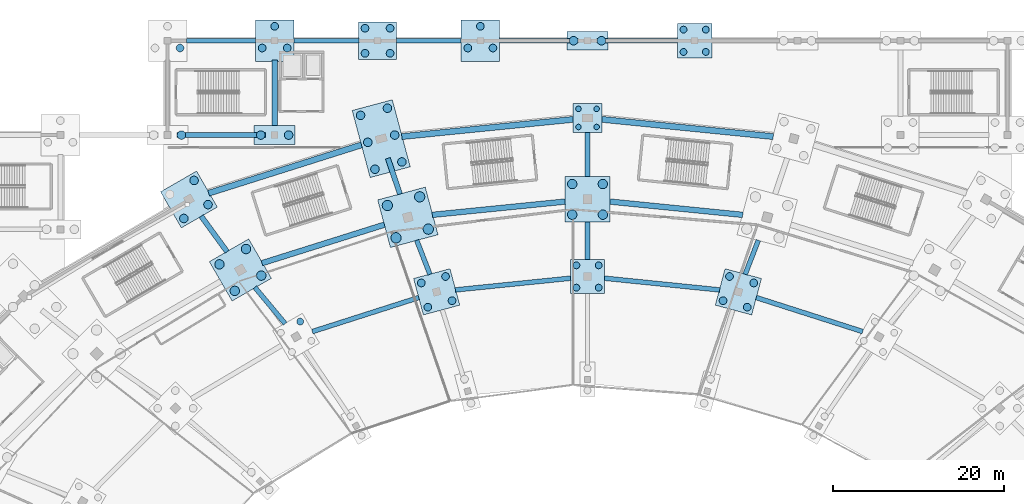
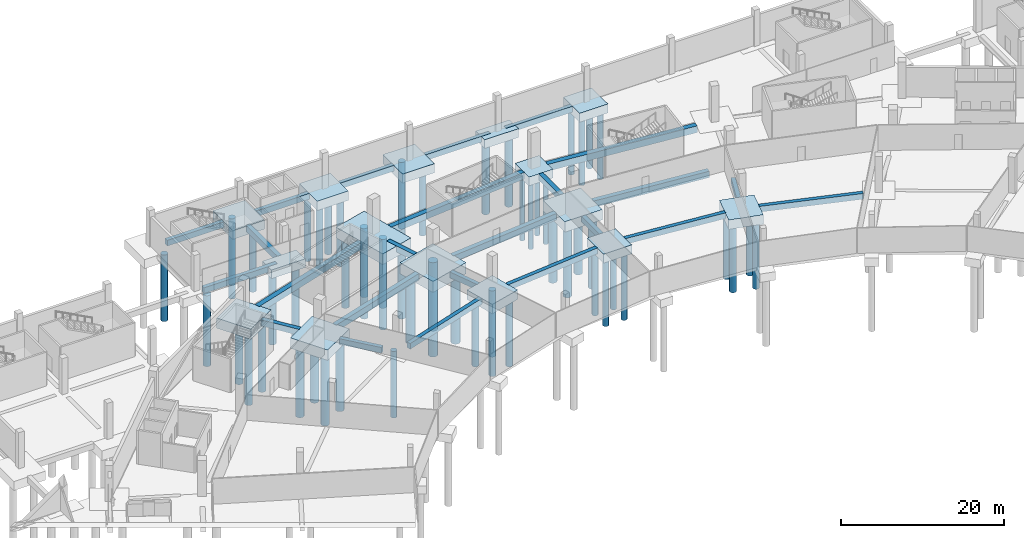
# One storey, part 10 of 74: 58 piles, 39 footings.
"""IFC4 building model written with IfcOpenShell, lengths in metres."""

from ifc_helpers import new_model, si_unit, direction, frame, origin, origin_2d, place, context, subcontext, project, spatial, polyline, rectangle, circle, outline, extrude, material, material_profile, profile_set, type_object, element, save


model = new_model("IFC4")

# Units and contexts
model_context = context("Model", 3, precision=1e-05, world=origin(), true_north=direction((0.0, 1.0)))
body_context = subcontext(model_context, "Body", "Model", "MODEL_VIEW")
ifc_project = project(units=[si_unit("LENGTHUNIT", "METRE"), si_unit("AREAUNIT", "SQUARE_METRE"), si_unit("VOLUMEUNIT", "CUBIC_METRE"), si_unit("PLANEANGLEUNIT", "RADIAN"), si_unit("MASSUNIT", "GRAM", prefix="KILO")], contexts=[model_context])

# Site, building, storey
site_placement = place(None, origin())
site = spatial("IfcSite", under=ifc_project, at=site_placement, CompositionType="ELEMENT")
building_placement = place(site_placement, origin())
building = spatial("IfcBuilding", under=site, at=building_placement, Name="Zlatoyarsky Gate Stadium", CompositionType="ELEMENT")
storey_placement = place(building_placement, frame((0.0, 0.0, -5.39990234375)))
storey = spatial("IfcBuildingStorey", under=building, at=storey_placement, Name="B1", CompositionType="ELEMENT", Elevation=-5.39990234375)

# Piles
ifc_material = material(Name="Concrete C35/45", Category="concrete")
ifc_material_profile_1 = material_profile(ifc_material, circle(Radius=0.324951171875, at=origin_2d()), Name="ANCHOR PILE D650")
ifc_profile_set_1 = profile_set([ifc_material_profile_1], Name="Concrete C35/45")
pile_type_1 = type_object("IfcPileType", Name="CONCRETE ANCHOR PILE D650", PredefinedType="SUPPORT", material=ifc_profile_set_1)
for number, where, z_axis, x_axis, name in (
    (1, (112.056396484375, 149.943603515625, -1.2001953125), (0.0, 0.0, -1.0), (1.0, 0.0, 0.0), "Pile 1 under RC-06"),
    (2, (112.056396484375, 152.056396484375, -1.2001953125), (0.0, 0.0, -1.0), (1.0, 0.0, 0.0), "Pile 2 under RC-06"),
    (3, (109.943603515625, 149.943603515625, -1.2001953125), (0.0, 0.0, -1.0), (1.0, 0.0, 0.0), "Pile 3 under RC-06"),
    (4, (109.943603515625, 152.056396484375, -1.2001953125), (0.0, 0.0, -1.0), (1.0, 0.0, 0.0), "Pile 4 under RC-06"),
):
    element("IfcPile", number, at=place(storey_placement, frame(where, z_axis=z_axis, x_axis=x_axis)), inside=storey, type_object=pile_type_1, Name=name, PredefinedType="SUPPORT", context=body_context, shape_type="SweptSolid", body=[
        extrude(circle(Radius=0.324951171875, at=origin_2d()), origin(), (0.0, 0.0, 1.0), 10.0),
    ])
ifc_material_profile_2 = material_profile(ifc_material, circle(Radius=0.5, at=origin_2d()), Name="BORED PILE D1000")
ifc_profile_set_2 = profile_set([ifc_material_profile_2], Name="Concrete C35/45")
pile_type_2 = type_object("IfcPileType", Name="CONCRETE BORED PILE D1000", PredefinedType="BORED", material=ifc_profile_set_2)
for number, where, z_axis, x_axis, name in (
    (5, (89.340576171875, 145.862060546875, -1.5), (0.0, 0.0, -1.0), (1.0, 0.0, 0.0), "Pile 1 under RC-07"),
    (6, (88.49951171875, 149.001220703125, -1.5), (0.0, 0.0, -1.0), (1.0, 0.0, 0.0), "Pile 2 under RC-07"),
    (7, (87.658203125, 152.140380859375, -1.5), (0.0, 0.0, -1.0), (1.0, 0.0, 0.0), "Pile 3 under RC-07"),
    (8, (86.201416015625, 145.02099609375, -1.5), (0.0, 0.0, -1.0), (1.0, 0.0, 0.0), "Pile 4 under RC-07"),
    (9, (85.360107421875, 148.16015625, -1.5), (0.0, 0.0, -1.0), (1.0, 0.0, 0.0), "Pile 5 under RC-07"),
    (10, (84.51904296875, 151.29931640625, -1.5), (0.0, 0.0, -1.0), (1.0, 0.0, 0.0), "Pile 6 under RC-07"),
):
    element("IfcPile", number, at=place(storey_placement, frame(where, z_axis=z_axis, x_axis=x_axis)), inside=storey, type_object=pile_type_2, Name=name, PredefinedType="BORED", context=body_context, shape_type="SweptSolid", body=[
        extrude(circle(Radius=0.5, at=origin_2d()), origin(), (0.0, 0.0, 1.0), 10.300048828125),
    ])
for number, where, z_axis, x_axis, name in (
    (11, (66.7197265625, 140.89306640625, -1.400146484375), (0.0, 0.0, -1.0), (1.0, 0.0, 0.0), "Pile 1 under RC-08"),
    (12, (65.0947265625, 143.70751953125, -1.400146484375), (0.0, 0.0, -1.0), (1.0, 0.0, 0.0), "Pile 2 under RC-08"),
    (13, (63.9052734375, 139.26806640625, -1.400146484375), (0.0, 0.0, -1.0), (1.0, 0.0, 0.0), "Pile 3 under RC-08"),
):
    element("IfcPile", number, at=place(storey_placement, frame(where, z_axis=z_axis, x_axis=x_axis)), inside=storey, type_object=pile_type_2, Name=name, PredefinedType="BORED", context=body_context, shape_type="SweptSolid", body=[
        extrude(circle(Radius=0.5, at=origin_2d()), origin(), (0.0, 0.0, 1.0), 10.39990234375),
    ])
for number, where, z_axis, x_axis, name in (
    (14, (109.375, 160.0, -1.2001953125), (0.0, 0.0, -1.0), (1.0, 0.0, 0.0), "Pile 1 under WG-10-Q"),
    (15, (112.625, 160.0, -1.2001953125), (0.0, 0.0, -1.0), (1.0, 0.0, 0.0), "Pile 2 under WG-10-Q"),
    (16, (63.625, 149.0, -1.2001953125), (0.0, 0.0, -1.0), (1.0, 0.0, 0.0), "Pile 2 under WG-6-P"),
    (17, (72.875, 149.0, -1.2001953125), (0.0, 0.0, -1.0), (1.0, 0.0, 0.0), "Pile 1 under WG-7-P"),
    (18, (76.125, 149.0, -1.2001953125), (0.0, 0.0, -1.0), (1.0, 0.0, 0.0), "Pile 2 under WG-7-P"),
):
    element("IfcPile", number, at=place(storey_placement, frame(where, z_axis=z_axis, x_axis=x_axis)), inside=storey, type_object=pile_type_2, Name=name, PredefinedType="BORED", context=body_context, shape_type="SweptSolid", body=[
        extrude(circle(Radius=0.5, at=origin_2d()), origin(), (0.0, 0.0, 1.0), 10.60009765625),
    ])
ifc_material_profile_3 = material_profile(ifc_material, circle(Radius=0.550048828125, at=origin_2d()), Name="BORED PILE D1100")
ifc_profile_set_3 = profile_set([ifc_material_profile_3], Name="Concrete C35/45")
pile_type_3 = type_object("IfcPileType", Name="CONCRETE BORED PILE D1100", PredefinedType="BORED", material=ifc_profile_set_3)
for number, where, z_axis, x_axis, name in (
    (19, (112.78759765625, 139.71240234375, -1.4501953125), (0.0, 0.0, -1.0), (1.0, 0.0, 0.0), "Pile 1 under RB-06"),
    (20, (112.78759765625, 143.28759765625, -1.4501953125), (0.0, 0.0, -1.0), (1.0, 0.0, 0.0), "Pile 2 under RB-06"),
    (21, (109.21240234375, 139.71240234375, -1.4501953125), (0.0, 0.0, -1.0), (1.0, 0.0, 0.0), "Pile 3 under RB-06"),
    (22, (109.21240234375, 143.28759765625, -1.4501953125), (0.0, 0.0, -1.0), (1.0, 0.0, 0.0), "Pile 4 under RB-06"),
    (23, (72.94189453125, 132.606201171875, -1.4501953125), (0.0, 0.0, -1.0), (1.0, 0.0, 0.0), "Pile 1 under RB-08"),
    (24, (71.154296875, 135.702392578125, -1.4501953125), (0.0, 0.0, -1.0), (1.0, 0.0, 0.0), "Pile 2 under RB-08"),
    (25, (69.845703125, 130.81884765625, -1.4501953125), (0.0, 0.0, -1.0), (1.0, 0.0, 0.0), "Pile 3 under RB-08"),
    (26, (68.05810546875, 133.914794921875, -1.4501953125), (0.0, 0.0, -1.0), (1.0, 0.0, 0.0), "Pile 4 under RB-08"),
):
    element("IfcPile", number, at=place(storey_placement, frame(where, z_axis=z_axis, x_axis=x_axis)), inside=storey, type_object=pile_type_3, Name=name, PredefinedType="BORED", context=body_context, shape_type="SweptSolid", body=[
        extrude(circle(Radius=0.550048828125, at=origin_2d()), origin(), (0.0, 0.0, 1.0), 10.35009765625),
    ])
ifc_material_profile_4 = material_profile(ifc_material, circle(Radius=0.60009765625, at=origin_2d()), Name="BORED PILE D1200")
ifc_profile_set_4 = profile_set([ifc_material_profile_4], Name="Concrete C35/45")
pile_type_4 = type_object("IfcPileType", Name="CONCRETE BORED PILE D1200", PredefinedType="BORED", material=ifc_profile_set_4)
for number, where, z_axis, x_axis, name in (
    (27, (92.424072265625, 138.025390625, -1.550048828125), (0.0, 0.0, -1.0), (1.0, 0.0, 0.0), "Pile 1 under RB-07"),
    (28, (91.41455078125, 141.792724609375, -1.550048828125), (0.0, 0.0, -1.0), (1.0, 0.0, 0.0), "Pile 2 under RB-07"),
    (29, (88.65673828125, 137.01611328125, -1.550048828125), (0.0, 0.0, -1.0), (1.0, 0.0, 0.0), "Pile 3 under RB-07"),
    (30, (87.6474609375, 140.783203125, -1.550048828125), (0.0, 0.0, -1.0), (1.0, 0.0, 0.0), "Pile 4 under RB-07"),
):
    element("IfcPile", number, at=place(storey_placement, frame(where, z_axis=z_axis, x_axis=x_axis)), inside=storey, type_object=pile_type_4, Name=name, PredefinedType="BORED", context=body_context, shape_type="SweptSolid", body=[
        extrude(circle(Radius=0.60009765625, at=origin_2d()), origin(), (0.0, 0.0, 1.0), 10.25),
    ])
ifc_material_profile_5 = material_profile(ifc_material, circle(Radius=0.39990234375, at=origin_2d()), Name="BORED PILE D800")
ifc_profile_set_5 = profile_set([ifc_material_profile_5], Name="Concrete C35/45")
pile_type_5 = type_object("IfcPileType", Name="CONCRETE BORED PILE D800", PredefinedType="BORED", material=ifc_profile_set_5)
for number, where, z_axis, x_axis, name in (
    (31, (112.300048828125, 131.199951171875, -1.25), (0.0, 0.0, -1.0), (1.0, 0.0, 0.0), "Pile 1 under RA-06"),
    (32, (112.300048828125, 133.800048828125, -1.25), (0.0, 0.0, -1.0), (1.0, 0.0, 0.0), "Pile 2 under RA-06"),
    (33, (109.699951171875, 131.199951171875, -1.25), (0.0, 0.0, -1.0), (1.0, 0.0, 0.0), "Pile 3 under RA-06"),
    (34, (109.699951171875, 133.800048828125, -1.25), (0.0, 0.0, -1.0), (1.0, 0.0, 0.0), "Pile 4 under RA-06"),
    (35, (77.475830078125, 127.2421875, -1.25), (0.0, 0.0, -1.0), (1.0, 0.0, 0.0), "Pile 2 under RA-08"),
    (36, (122.199951171875, 158.699951171875, -1.25), (0.0, 0.0, -1.0), (1.0, 0.0, 0.0), "Pile 1 under WG-11-Q"),
    (37, (124.800048828125, 158.699951171875, -1.25), (0.0, 0.0, -1.0), (1.0, 0.0, 0.0), "Pile 2 under WG-11-Q"),
    (38, (122.199951171875, 161.300048828125, -1.25), (0.0, 0.0, -1.0), (1.0, 0.0, 0.0), "Pile 3 under WG-11-Q"),
    (39, (124.800048828125, 161.300048828125, -1.25), (0.0, 0.0, -1.0), (1.0, 0.0, 0.0), "Pile 4 under WG-11-Q"),
):
    element("IfcPile", number, at=place(storey_placement, frame(where, z_axis=z_axis, x_axis=x_axis)), inside=storey, type_object=pile_type_5, Name=name, PredefinedType="BORED", context=body_context, shape_type="SweptSolid", body=[
        extrude(circle(Radius=0.39990234375, at=origin_2d()), origin(), (0.0, 0.0, 1.0), 9.949951171875),
    ])
ifc_material_profile_6 = material_profile(ifc_material, circle(Radius=0.449951171875, at=origin_2d()), Name="BORED PILE D900")
ifc_profile_set_6 = profile_set([ifc_material_profile_6], Name="Concrete C35/45")
pile_type_6 = type_object("IfcPileType", Name="CONCRETE BORED PILE D900", PredefinedType="BORED", material=ifc_profile_set_6)
for number, where, z_axis, x_axis, name in (
    (40, (129.6337890625, 128.919921875, -1.300048828125), (0.0, 0.0, -1.0), (1.0, 0.0, 0.0), "Pile 1 under RA-05"),
    (41, (130.390869140625, 131.7451171875, -1.300048828125), (0.0, 0.0, -1.0), (1.0, 0.0, 0.0), "Pile 2 under RA-05"),
    (42, (126.80859375, 129.677001953125, -1.300048828125), (0.0, 0.0, -1.0), (1.0, 0.0, 0.0), "Pile 3 under RA-05"),
    (43, (127.565673828125, 132.502197265625, -1.300048828125), (0.0, 0.0, -1.0), (1.0, 0.0, 0.0), "Pile 4 under RA-05"),
    (44, (95.19140625, 129.677001953125, -1.300048828125), (0.0, 0.0, -1.0), (1.0, 0.0, 0.0), "Pile 1 under RA-07"),
    (45, (94.434326171875, 132.502197265625, -1.300048828125), (0.0, 0.0, -1.0), (1.0, 0.0, 0.0), "Pile 2 under RA-07"),
    (46, (92.3662109375, 128.919921875, -1.300048828125), (0.0, 0.0, -1.0), (1.0, 0.0, 0.0), "Pile 3 under RA-07"),
    (47, (91.609130859375, 131.7451171875, -1.300048828125), (0.0, 0.0, -1.0), (1.0, 0.0, 0.0), "Pile 4 under RA-07"),
):
    element("IfcPile", number, at=place(storey_placement, frame(where, z_axis=z_axis, x_axis=x_axis)), inside=storey, type_object=pile_type_6, Name=name, PredefinedType="BORED", context=body_context, shape_type="SweptSolid", body=[
        extrude(circle(Radius=0.449951171875, at=origin_2d()), origin(), (0.0, 0.0, 1.0), 9.89990234375),
    ])
for number, where, z_axis, x_axis, name in (
    (48, (63.46240234375, 159.15576171875, -1.25), (0.0, 0.0, -1.0), (1.0, 0.0, 0.0), "Pile 2 under WG-6-Q"),
    (49, (73.03759765625, 159.15576171875, -1.25), (0.0, 0.0, -1.0), (1.0, 0.0, 0.0), "Pile 1 under WG-7-Q"),
    (50, (75.96240234375, 159.15576171875, -1.25), (0.0, 0.0, -1.0), (1.0, 0.0, 0.0), "Pile 2 under WG-7-Q"),
    (51, (74.5, 161.688720703125, -1.25), (0.0, 0.0, -1.0), (1.0, 0.0, 0.0), "Pile 3 under WG-7-Q"),
):
    element("IfcPile", number, at=place(storey_placement, frame(where, z_axis=z_axis, x_axis=x_axis)), inside=storey, type_object=pile_type_6, Name=name, PredefinedType="BORED", context=body_context, shape_type="SweptSolid", body=[
        extrude(circle(Radius=0.449951171875, at=origin_2d()), origin(), (0.0, 0.0, 1.0), 9.949951171875),
    ])
for number, where, z_axis, x_axis, name in (
    (52, (85.03759765625, 158.53759765625, -1.300048828125), (0.0, 0.0, -1.0), (1.0, 0.0, 0.0), "Pile 1 under WG-8-Q"),
    (53, (87.96240234375, 158.53759765625, -1.300048828125), (0.0, 0.0, -1.0), (1.0, 0.0, 0.0), "Pile 2 under WG-8-Q"),
    (54, (85.03759765625, 161.46240234375, -1.300048828125), (0.0, 0.0, -1.0), (1.0, 0.0, 0.0), "Pile 3 under WG-8-Q"),
    (55, (87.96240234375, 161.46240234375, -1.300048828125), (0.0, 0.0, -1.0), (1.0, 0.0, 0.0), "Pile 4 under WG-8-Q"),
):
    element("IfcPile", number, at=place(storey_placement, frame(where, z_axis=z_axis, x_axis=x_axis)), inside=storey, type_object=pile_type_6, Name=name, PredefinedType="BORED", context=body_context, shape_type="SweptSolid", body=[
        extrude(circle(Radius=0.449951171875, at=origin_2d()), origin(), (0.0, 0.0, 1.0), 9.89990234375),
    ])
for number, where, z_axis, x_axis, name in (
    (56, (97.03759765625, 159.15576171875, -1.25), (0.0, 0.0, -1.0), (1.0, 0.0, 0.0), "Pile 1 under WG-9-Q"),
    (57, (99.96240234375, 159.15576171875, -1.25), (0.0, 0.0, -1.0), (1.0, 0.0, 0.0), "Pile 2 under WG-9-Q"),
    (58, (98.5, 161.688720703125, -1.25), (0.0, 0.0, -1.0), (1.0, 0.0, 0.0), "Pile 3 under WG-9-Q"),
):
    element("IfcPile", number, at=place(storey_placement, frame(where, z_axis=z_axis, x_axis=x_axis)), inside=storey, type_object=pile_type_6, Name=name, PredefinedType="BORED", context=body_context, shape_type="SweptSolid", body=[
        extrude(circle(Radius=0.449951171875, at=origin_2d()), origin(), (0.0, 0.0, 1.0), 9.949951171875),
    ])

# Footings
ifc_material_profile_7 = material_profile(ifc_material, rectangle(XDim=0.550048828125, YDim=0.85009765625, at=origin_2d()), Name="GB 550X850")
ifc_profile_set_7 = profile_set([ifc_material_profile_7], Name="Concrete C35/45")
footing_type_1 = type_object("IfcFootingType", Name="CONCRETE GROUND TIE BEAM 550X850", PredefinedType="STRIP_FOOTING", material=ifc_profile_set_7)
footing_1_placement = place(storey_placement, frame((0.0, 0.0, -0.85009765625)))
element("IfcFooting", 59, at=footing_1_placement, inside=storey, type_object=footing_type_1, Name="Ground tie beam GB-02 RA-04 to RA-05", PredefinedType="STRIP_FOOTING", context=body_context, shape_type="SweptSolid", body=[
    extrude(outline(polyline([(143.1884765625, 126.33447265625), (130.769287109375, 130.305908203125), (130.601806640625, 129.781982421875), (143.020751953125, 125.810546875), (143.1884765625, 126.33447265625)])), origin(), (0.0, 0.0, 1.0), 0.85009765625),
])
footing_2_placement = place(storey_placement, frame((0.0, 0.0, -0.85009765625)))
element("IfcFooting", 60, at=footing_2_placement, inside=storey, type_object=footing_type_1, Name="Ground tie beam GB-02 RA-05 to RB-05", PredefinedType="STRIP_FOOTING", context=body_context, shape_type="SweptSolid", body=[
    extrude(outline(polyline([(129.646728515625, 132.654296875), (131.186767578125, 136.63330078125), (130.673828125, 136.831787109375), (129.1337890625, 132.852783203125), (129.646728515625, 132.654296875)])), origin(), (0.0, 0.0, 1.0), 0.85009765625),
])
footing_3_placement = place(storey_placement, frame((0.0, 0.0, -0.85009765625)))
element("IfcFooting", 61, at=footing_3_placement, inside=storey, type_object=footing_type_1, Name="Ground tie beam GB-02 RA-05 to RA-06", PredefinedType="STRIP_FOOTING", context=body_context, shape_type="SweptSolid", body=[
    extrude(outline(polyline([(126.44873046875, 131.206298828125), (113.007568359375, 132.572509765625), (112.951904296875, 132.025146484375), (126.39306640625, 130.658935546875), (126.44873046875, 131.206298828125)])), origin(), (0.0, 0.0, 1.0), 0.85009765625),
])
footing_4_placement = place(storey_placement, frame((0.0, 0.0, -0.85009765625)))
element("IfcFooting", 62, at=footing_4_placement, inside=storey, type_object=footing_type_1, Name="Ground tie beam GB-02 RA-06 to RB-06", PredefinedType="STRIP_FOOTING", context=body_context, shape_type="SweptSolid", body=[
    extrude(outline(polyline([(111.27490234375, 134.489990234375), (111.27490234375, 138.860107421875), (110.72509765625, 138.860107421875), (110.72509765625, 134.489990234375), (111.27490234375, 134.489990234375)])), origin(), (0.0, 0.0, 1.0), 0.85009765625),
])
footing_5_placement = place(storey_placement, frame((0.0, 0.0, -0.85009765625)))
element("IfcFooting", 63, at=footing_5_placement, inside=storey, type_object=footing_type_1, Name="Ground tie beam GB-02 RA-06 to RA-07", PredefinedType="STRIP_FOOTING", context=body_context, shape_type="SweptSolid", body=[
    extrude(outline(polyline([(108.992431640625, 132.572509765625), (95.55126953125, 131.206298828125), (95.60693359375, 130.658935546875), (109.048095703125, 132.025146484375), (108.992431640625, 132.572509765625)])), origin(), (0.0, 0.0, 1.0), 0.85009765625),
])
footing_6_placement = place(storey_placement, frame((0.0, 0.0, -0.85009765625)))
element("IfcFooting", 64, at=footing_6_placement, inside=storey, type_object=footing_type_1, Name="Ground tie beam GB-02 RA-07 to RB-07", PredefinedType="STRIP_FOOTING", context=body_context, shape_type="SweptSolid", body=[
    extrude(outline(polyline([(92.8662109375, 132.852783203125), (91.326171875, 136.831787109375), (90.813232421875, 136.63330078125), (92.353271484375, 132.654296875), (92.8662109375, 132.852783203125)])), origin(), (0.0, 0.0, 1.0), 0.85009765625),
])
footing_7_placement = place(storey_placement, frame((0.0, 0.0, -0.85009765625)))
element("IfcFooting", 65, at=footing_7_placement, inside=storey, type_object=footing_type_1, Name="Ground tie beam GB-02 RA-07 to RA-08", PredefinedType="STRIP_FOOTING", context=body_context, shape_type="SweptSolid", body=[
    extrude(outline(polyline([(91.230712890625, 130.305908203125), (78.8115234375, 126.33447265625), (78.979248046875, 125.810546875), (91.398193359375, 129.781982421875), (91.230712890625, 130.305908203125)])), origin(), (0.0, 0.0, 1.0), 0.85009765625),
])
footing_8_placement = place(storey_placement, frame((0.0, 0.0, -0.85009765625)))
element("IfcFooting", 66, at=footing_8_placement, inside=storey, type_object=footing_type_1, Name="Ground tie beam GB-02 RA-08 to RB-08", PredefinedType="STRIP_FOOTING", context=body_context, shape_type="SweptSolid", body=[
    extrude(outline(polyline([(75.936767578125, 127.170654296875), (72.402099609375, 131.4091796875), (71.9794921875, 131.056884765625), (75.514404296875, 126.818359375), (75.936767578125, 127.170654296875)])), origin(), (0.0, 0.0, 1.0), 0.85009765625),
])
footing_9_placement = place(storey_placement, frame((0.0, 0.0, -0.85009765625)))
element("IfcFooting", 67, at=footing_9_placement, inside=storey, type_object=footing_type_1, Name="Ground tie beam GB-02 WG-10-Q to WG-11-Q", PredefinedType="STRIP_FOOTING", context=body_context, shape_type="SweptSolid", body=[
    extrude(outline(polyline([(112.090087890625, 159.72509765625), (121.510009765625, 159.72509765625), (121.510009765625, 160.27490234375), (112.090087890625, 160.27490234375), (112.090087890625, 159.72509765625)])), origin(), (0.0, 0.0, 1.0), 0.85009765625),
])
footing_10_placement = place(storey_placement, frame((0.0, 0.0, -0.85009765625)))
element("IfcFooting", 68, at=footing_10_placement, inside=storey, type_object=footing_type_1, Name="Ground tie beam GB-02 WG-6-P to WG-7-P", PredefinedType="STRIP_FOOTING", context=body_context, shape_type="SweptSolid", body=[
    extrude(outline(polyline([(63.090087890625, 148.72509765625), (73.409912109375, 148.72509765625), (73.409912109375, 149.27490234375), (63.090087890625, 149.27490234375), (63.090087890625, 148.72509765625)])), origin(), (0.0, 0.0, 1.0), 0.85009765625),
])
footing_11_placement = place(storey_placement, frame((0.0, 0.0, -0.85009765625)))
element("IfcFooting", 69, at=footing_11_placement, inside=storey, type_object=footing_type_1, Name="Ground tie beam GB-02 WG-6-Q to WG-7-Q", PredefinedType="STRIP_FOOTING", context=body_context, shape_type="SweptSolid", body=[
    extrude(outline(polyline([(64.239990234375, 159.72509765625), (72.260009765625, 159.72509765625), (72.260009765625, 160.27490234375), (64.239990234375, 160.27490234375), (64.239990234375, 159.72509765625)])), origin(), (0.0, 0.0, 1.0), 0.85009765625),
])
footing_12_placement = place(storey_placement, frame((0.0, 0.0, -0.85009765625)))
element("IfcFooting", 70, at=footing_12_placement, inside=storey, type_object=footing_type_1, Name="Ground tie beam GB-02 WG-7-Q to WG-8-Q", PredefinedType="STRIP_FOOTING", context=body_context, shape_type="SweptSolid", body=[
    extrude(outline(polyline([(76.739990234375, 159.72509765625), (84.31005859375, 159.72509765625), (84.31005859375, 160.27490234375), (76.739990234375, 160.27490234375), (76.739990234375, 159.72509765625)])), origin(), (0.0, 0.0, 1.0), 0.85009765625),
])
footing_13_placement = place(storey_placement, frame((0.0, 0.0, -0.85009765625)))
element("IfcFooting", 71, at=footing_13_placement, inside=storey, type_object=footing_type_1, Name="Ground tie beam GB-02 WG-8-Q to WG-9-Q", PredefinedType="STRIP_FOOTING", context=body_context, shape_type="SweptSolid", body=[
    extrude(outline(polyline([(88.68994140625, 159.72509765625), (96.260009765625, 159.72509765625), (96.260009765625, 160.27490234375), (88.68994140625, 160.27490234375), (88.68994140625, 159.72509765625)])), origin(), (0.0, 0.0, 1.0), 0.85009765625),
])
footing_14_placement = place(storey_placement, frame((0.0, 0.0, -0.85009765625)))
element("IfcFooting", 72, at=footing_14_placement, inside=storey, type_object=footing_type_1, Name="Ground tie beam GB-02 WG-9-Q to WG-10-Q", PredefinedType="STRIP_FOOTING", context=body_context, shape_type="SweptSolid", body=[
    extrude(outline(polyline([(100.739990234375, 159.72509765625), (109.909912109375, 159.72509765625), (109.909912109375, 160.27490234375), (100.739990234375, 160.27490234375), (100.739990234375, 159.72509765625)])), origin(), (0.0, 0.0, 1.0), 0.85009765625),
])
ifc_material_profile_8 = material_profile(ifc_material, rectangle(XDim=0.60009765625, YDim=0.89990234375, at=origin_2d()), Name="GB 600X900")
ifc_profile_set_8 = profile_set([ifc_material_profile_8], Name="Concrete C35/45")
footing_type_2 = type_object("IfcFootingType", Name="CONCRETE GROUND TIE BEAM 600X900", PredefinedType="STRIP_FOOTING", material=ifc_profile_set_8)
footing_15_placement = place(storey_placement, frame((0.0, 0.0, -0.900146484375)))
element("IfcFooting", 73, at=footing_15_placement, inside=storey, type_object=footing_type_2, Name="Ground tie beam GB-03 RB-06 to RC-06", PredefinedType="STRIP_FOOTING", context=body_context, shape_type="SweptSolid", body=[
    extrude(outline(polyline([(111.300048828125, 144.139892578125), (111.300048828125, 149.31005859375), (110.699951171875, 149.31005859375), (110.699951171875, 144.139892578125), (111.300048828125, 144.139892578125)])), origin(), (0.0, 0.0, 1.0), 0.900146484375),
])
footing_16_placement = place(storey_placement, frame((0.0, 0.0, -0.900146484375)))
element("IfcFooting", 74, at=footing_16_placement, inside=storey, type_object=footing_type_2, Name="Ground tie beam GB-03 RB-07 to RC-07", PredefinedType="STRIP_FOOTING", context=body_context, shape_type="SweptSolid", body=[
    extrude(outline(polyline([(89.4013671875, 142.21435546875), (87.98828125, 146.389404296875), (87.419921875, 146.197021484375), (88.8330078125, 142.02197265625), (89.4013671875, 142.21435546875)])), origin(), (0.0, 0.0, 1.0), 0.900146484375),
])
footing_17_placement = place(storey_placement, frame((0.0, 0.0, -0.900146484375)))
element("IfcFooting", 75, at=footing_17_placement, inside=storey, type_object=footing_type_2, Name="Ground tie beam GB-03 RB-08 to RC-08", PredefinedType="STRIP_FOOTING", context=body_context, shape_type="SweptSolid", body=[
    extrude(outline(polyline([(69.186767578125, 135.5703125), (66.165283203125, 139.71337890625), (65.6806640625, 139.35986328125), (68.701904296875, 135.216796875), (69.186767578125, 135.5703125)])), origin(), (0.0, 0.0, 1.0), 0.900146484375),
])
footing_18_placement = place(storey_placement, frame((0.0, 0.0, -0.900146484375)))
element("IfcFooting", 76, at=footing_18_placement, inside=storey, type_object=footing_type_2, Name="Ground tie beam GB-03 WG-7-P to WG-7-Q", PredefinedType="STRIP_FOOTING", context=body_context, shape_type="SweptSolid", body=[
    extrude(outline(polyline([(74.800048828125, 150.090087890625), (74.800048828125, 157.760009765625), (74.199951171875, 157.760009765625), (74.199951171875, 150.090087890625), (74.800048828125, 150.090087890625)])), origin(), (0.0, 0.0, 1.0), 0.900146484375),
])
ifc_material_profile_9 = material_profile(ifc_material, rectangle(XDim=0.64990234375, YDim=0.949951171875, at=origin_2d()), Name="GB 650X950")
ifc_profile_set_9 = profile_set([ifc_material_profile_9], Name="Concrete C35/45")
footing_type_3 = type_object("IfcFootingType", Name="CONCRETE GROUND TIE BEAM 650X950", PredefinedType="STRIP_FOOTING", material=ifc_profile_set_9)
footing_19_placement = place(storey_placement, frame((0.0, 0.0, -0.9501953125)))
element("IfcFooting", 77, at=footing_19_placement, inside=storey, type_object=footing_type_3, Name="Ground tie beam GB-04 RB-05 to RB-06", PredefinedType="STRIP_FOOTING", context=body_context, shape_type="SweptSolid", body=[
    extrude(outline(polyline([(129.145751953125, 140.0126953125), (113.6591796875, 141.560791015625), (113.594482421875, 140.9140625), (129.0810546875, 139.365966796875), (129.145751953125, 140.0126953125)])), origin(), (0.0, 0.0, 1.0), 0.9501953125),
])
footing_20_placement = place(storey_placement, frame((0.0, 0.0, -0.9501953125)))
element("IfcFooting", 78, at=footing_20_placement, inside=storey, type_object=footing_type_3, Name="Ground tie beam GB-04 RB-06 to RB-07", PredefinedType="STRIP_FOOTING", context=body_context, shape_type="SweptSolid", body=[
    extrude(outline(polyline([(108.3408203125, 141.560791015625), (92.854248046875, 140.0126953125), (92.9189453125, 139.365966796875), (108.405517578125, 140.9140625), (108.3408203125, 141.560791015625)])), origin(), (0.0, 0.0, 1.0), 0.9501953125),
])
footing_21_placement = place(storey_placement, frame((0.0, 0.0, -0.9501953125)))
element("IfcFooting", 79, at=footing_21_placement, inside=storey, type_object=footing_type_3, Name="Ground tie beam GB-04 RB-07 to RB-08", PredefinedType="STRIP_FOOTING", context=body_context, shape_type="SweptSolid", body=[
    extrude(outline(polyline([(87.205078125, 138.85498046875), (72.9208984375, 134.362548828125), (73.115966796875, 133.74267578125), (87.400146484375, 138.23486328125), (87.205078125, 138.85498046875)])), origin(), (0.0, 0.0, 1.0), 0.9501953125),
])
ifc_material_profile_10 = material_profile(ifc_material, rectangle(XDim=0.699951171875, YDim=1.0, at=origin_2d()), Name="GB 700X1000")
ifc_profile_set_10 = profile_set([ifc_material_profile_10], Name="Concrete C35/45")
footing_type_4 = type_object("IfcFootingType", Name="CONCRETE GROUND TIE BEAM 700X1000", PredefinedType="STRIP_FOOTING", material=ifc_profile_set_10)
footing_22_placement = place(storey_placement, frame((0.0, 0.0, -1.0)))
element("IfcFooting", 80, at=footing_22_placement, inside=storey, type_object=footing_type_4, Name="Ground tie beam GB-05 RC-05 to RC-06", PredefinedType="STRIP_FOOTING", context=body_context, shape_type="SweptSolid", body=[
    extrude(outline(polyline([(132.702392578125, 149.17041015625), (112.716552734375, 151.17919921875), (112.646484375, 150.482666015625), (132.63232421875, 148.473876953125), (132.702392578125, 149.17041015625)])), origin(), (0.0, 0.0, 1.0), 1.0),
])
footing_23_placement = place(storey_placement, frame((0.0, 0.0, -1.0)))
element("IfcFooting", 81, at=footing_23_placement, inside=storey, type_object=footing_type_4, Name="Ground tie beam GB-05 RC-06 to RC-07", PredefinedType="STRIP_FOOTING", context=body_context, shape_type="SweptSolid", body=[
    extrude(outline(polyline([(109.283447265625, 151.17919921875), (89.297607421875, 149.17041015625), (89.36767578125, 148.473876953125), (109.353515625, 150.482666015625), (109.283447265625, 151.17919921875)])), origin(), (0.0, 0.0, 1.0), 1.0),
])
footing_24_placement = place(storey_placement, frame((0.0, 0.0, -1.0)))
element("IfcFooting", 82, at=footing_24_placement, inside=storey, type_object=footing_type_4, Name="Ground tie beam GB-05 RC-07 to RC-08", PredefinedType="STRIP_FOOTING", context=body_context, shape_type="SweptSolid", body=[
    extrude(outline(polyline([(84.521728515625, 148.186279296875), (66.697021484375, 142.549560546875), (66.908203125, 141.882080078125), (84.732666015625, 147.518798828125), (84.521728515625, 148.186279296875)])), origin(), (0.0, 0.0, 1.0), 1.0),
])
footing_type_5 = type_object("IfcFootingType", Name="CONCRETE PILE CAP 3400X3400X1300", PredefinedType="PILE_CAP", material=ifc_material)
footing_25_placement = place(storey_placement, frame((111.0, 151.0, -1.30029296875), z_axis=(0.0, 0.0, 1.0), x_axis=(0.0, 1.0, 0.0)))
element("IfcFooting", 83, at=footing_25_placement, inside=storey, type_object=footing_type_5, Name="Pile cap PC-10 at RC-06", PredefinedType="PILE_CAP", context=body_context, shape_type="SweptSolid", body=[
    extrude(rectangle(XDim=3.39990234375, YDim=3.39990234375, at=origin_2d()), origin(), (0.0, 0.0, 1.0), 1.300048828125),
])
footing_type_6 = type_object("IfcFootingType", Name="CONCRETE PILE CAP 4000X4000X1350", PredefinedType="PILE_CAP", material=ifc_material)
for number, where, z_axis, x_axis, name in (
    (84, (111.0, 132.5, -1.35009765625), (0.0, 0.0, 1.0), (0.0, 1.0, 0.0), "Pile cap PC-05 at RA-06"),
    (85, (123.5, 160.0, -1.35009765625), (0.0, 0.0, 1.0), (1.0, 0.0, 0.0), "Pile cap PC-05 at WG-11-Q"),
):
    element("IfcFooting", number, at=place(storey_placement, frame(where, z_axis=z_axis, x_axis=x_axis)), inside=storey, type_object=footing_type_6, Name=name, PredefinedType="PILE_CAP", context=body_context, shape_type="SweptSolid", body=[
        extrude(rectangle(XDim=4.0, YDim=4.0, at=origin_2d()), origin(), (0.0, 0.0, 1.0), 1.35009765625),
    ])
footing_type_7 = type_object("IfcFootingType", Name="CONCRETE PILE CAP 4400X4400X1400", PredefinedType="PILE_CAP", material=ifc_material)
for number, where, z_axis, x_axis, name in (
    (86, (128.599609375, 130.711181640625, -1.400146484375), (0.0, 0.0, 1.0), (0.258819045103, 0.965925826289, 0.0), "Pile cap PC-06 at RA-05"),
    (87, (93.400390625, 130.711181640625, -1.400146484375), (0.0, 0.0, 1.0), (-0.258819045103, 0.965925826289, 0.0), "Pile cap PC-06 at RA-07"),
    (88, (86.5, 160.0, -1.400146484375), (0.0, 0.0, 1.0), (1.0, 0.0, 0.0), "Pile cap PC-06 at WG-8-Q"),
):
    element("IfcFooting", number, at=place(storey_placement, frame(where, z_axis=z_axis, x_axis=x_axis)), inside=storey, type_object=footing_type_7, Name=name, PredefinedType="PILE_CAP", context=body_context, shape_type="SweptSolid", body=[
        extrude(rectangle(XDim=4.39990234375, YDim=4.39990234375, at=origin_2d()), origin(), (0.0, 0.0, 1.0), 1.39990234375),
    ])
footing_type_8 = type_object("IfcFootingType", Name="CONCRETE PILE CAP 4500X4850X1350", PredefinedType="PILE_CAP", material=ifc_material)
for number, where, z_axis, x_axis, name in (
    (89, (74.5, 160.0, -1.35009765625), (0.0, 0.0, 1.0), (1.0, 0.0, 0.0), "Pile cap PC-04 at WG-7-Q"),
    (90, (98.5, 160.0, -1.35009765625), (0.0, 0.0, 1.0), (1.0, 0.0, 0.0), "Pile cap PC-04 at WG-9-Q"),
):
    element("IfcFooting", number, at=place(storey_placement, frame(where, z_axis=z_axis, x_axis=x_axis)), inside=storey, type_object=footing_type_8, Name=name, PredefinedType="PILE_CAP", context=body_context, shape_type="SweptSolid", body=[
        extrude(rectangle(XDim=4.5, YDim=4.85009765625, at=origin_2d()), origin(), (0.0, 0.0, 1.0), 1.35009765625),
    ])
footing_type_9 = type_object("IfcFootingType", Name="CONCRETE PILE CAP 4800X2200X1300", PredefinedType="PILE_CAP", material=ifc_material)
for number, where, z_axis, x_axis, name in (
    (91, (111.0, 160.0, -1.30029296875), (0.0, 0.0, 1.0), (1.0, 0.0, 0.0), "Pile cap PC-03 at WG-10-Q"),
    (92, (74.5, 149.0, -1.30029296875), (0.0, 0.0, 1.0), (1.0, 0.0, 0.0), "Pile cap PC-03 at WG-7-P"),
):
    element("IfcFooting", number, at=place(storey_placement, frame(where, z_axis=z_axis, x_axis=x_axis)), inside=storey, type_object=footing_type_9, Name=name, PredefinedType="PILE_CAP", context=body_context, shape_type="SweptSolid", body=[
        extrude(rectangle(XDim=4.800048828125, YDim=2.199951171875, at=origin_2d()), origin(), (0.0, 0.0, 1.0), 1.300048828125),
    ])
footing_type_10 = type_object("IfcFootingType", Name="CONCRETE PILE CAP 4850X4850X1500", PredefinedType="PILE_CAP", material=ifc_material)
footing_26_placement = place(storey_placement, frame((64.5, 141.48779296875, -1.5), z_axis=(0.0, 0.0, 1.0), x_axis=(-0.5, 0.866025403784, 0.0)))
element("IfcFooting", 93, at=footing_26_placement, inside=storey, type_object=footing_type_10, Name="Pile cap PC-07 at RC-08", PredefinedType="PILE_CAP", context=body_context, shape_type="SweptSolid", body=[
    extrude(rectangle(XDim=4.85009765625, YDim=4.85009765625, at=origin_2d()), origin(), (0.0, 0.0, 1.0), 1.5),
])
footing_type_11 = type_object("IfcFootingType", Name="CONCRETE PILE CAP 5300X5300X1550", PredefinedType="PILE_CAP", material=ifc_material)
for number, where, z_axis, x_axis, name in (
    (94, (111.0, 141.5, -1.55029296875), (0.0, 0.0, 1.0), (0.0, 1.0, 0.0), "Pile cap PC-08 at RB-06"),
    (95, (70.5, 133.260498046875, -1.55029296875), (0.0, 0.0, 1.0), (-0.5, 0.866025403784, 0.0), "Pile cap PC-08 at RB-08"),
):
    element("IfcFooting", number, at=place(storey_placement, frame(where, z_axis=z_axis, x_axis=x_axis)), inside=storey, type_object=footing_type_11, Name=name, PredefinedType="PILE_CAP", context=body_context, shape_type="SweptSolid", body=[
        extrude(rectangle(XDim=5.300048828125, YDim=5.300048828125, at=origin_2d()), origin(), (0.0, 0.0, 1.0), 1.550048828125),
    ])
footing_type_12 = type_object("IfcFootingType", Name="CONCRETE PILE CAP 5750X5750X1650", PredefinedType="PILE_CAP", material=ifc_material)
footing_27_placement = place(storey_placement, frame((90.03564453125, 139.404296875, -1.650146484375), z_axis=(0.0, 0.0, 1.0), x_axis=(-0.258819045103, 0.965925826289, 0.0)))
element("IfcFooting", 96, at=footing_27_placement, inside=storey, type_object=footing_type_12, Name="Pile cap PC-09 at RB-07", PredefinedType="PILE_CAP", context=body_context, shape_type="SweptSolid", body=[
    extrude(rectangle(XDim=5.75, YDim=5.75, at=origin_2d()), origin(), (0.0, 0.0, 1.0), 1.64990234375),
])
footing_type_13 = type_object("IfcFootingType", Name="CONCRETE PILE CAP 8100X4850X1600", PredefinedType="PILE_CAP", material=ifc_material)
footing_28_placement = place(storey_placement, frame((86.9296875, 148.580810546875, -1.60009765625), z_axis=(0.0, 0.0, 1.0), x_axis=(-0.258819045103, 0.965925826289, 0.0)))
element("IfcFooting", 97, at=footing_28_placement, inside=storey, type_object=footing_type_13, Name="Pile cap PC-11 at RC-07", PredefinedType="PILE_CAP", context=body_context, shape_type="SweptSolid", body=[
    extrude(rectangle(XDim=8.10009765625, YDim=4.85009765625, at=origin_2d()), origin(), (0.0, 0.0, 1.0), 1.60009765625),
])

save(model, "model.ifc")
